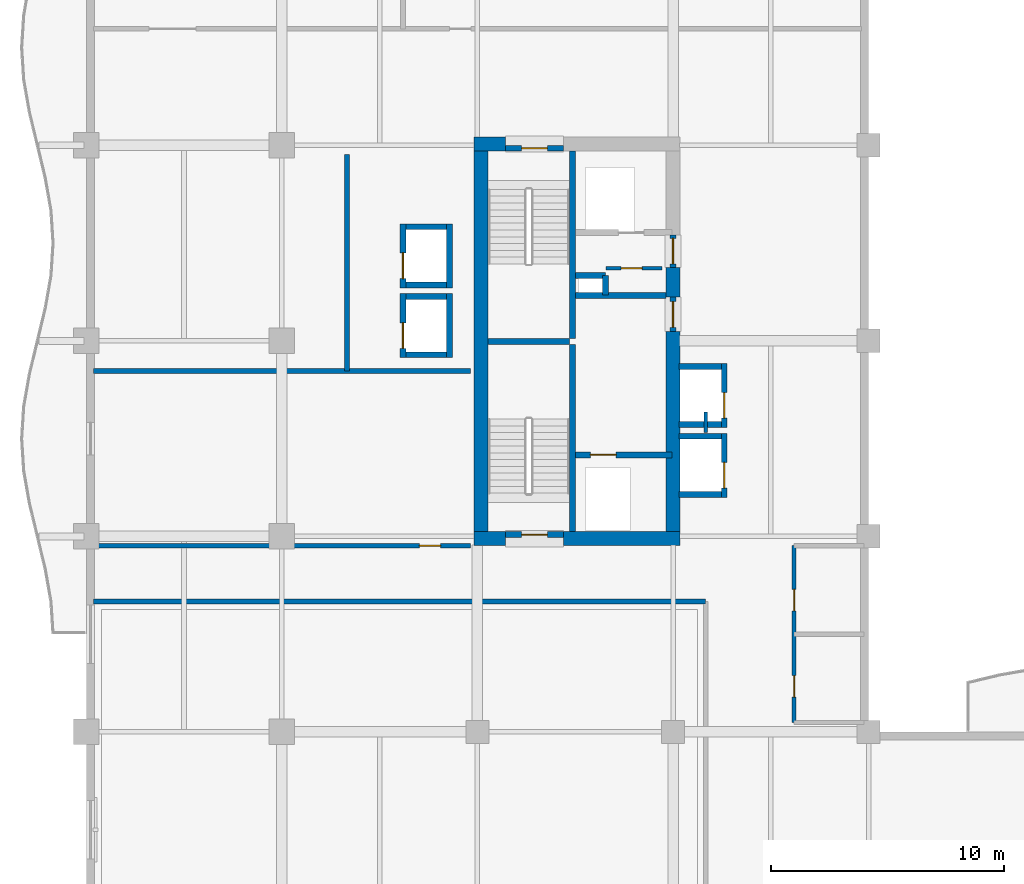
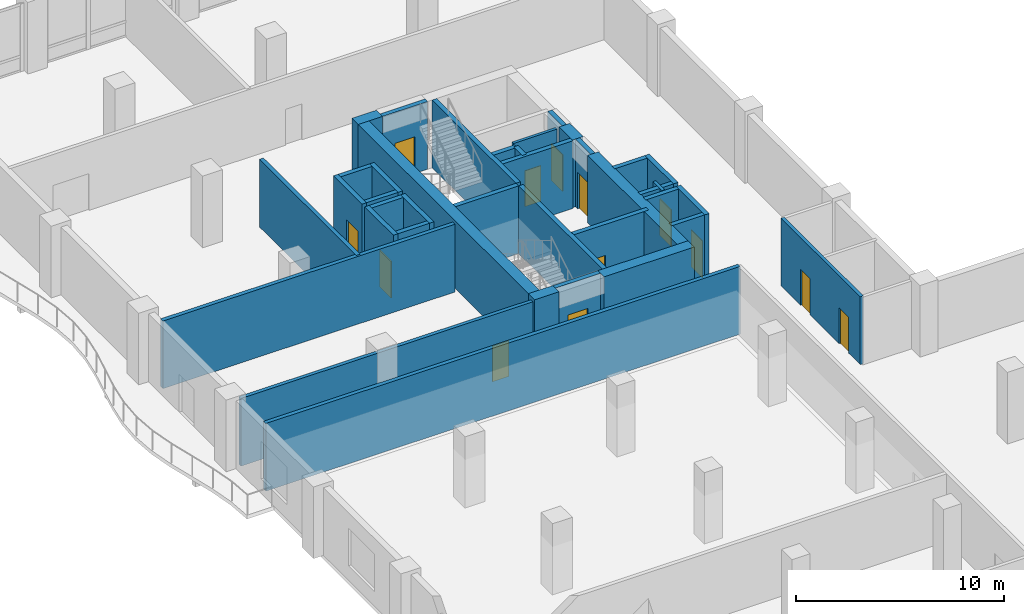
# One storey, part 13 of 22: 38 walls, 13 doors, 13 openings.
"""IFC4 building model written with IfcOpenShell, lengths in metres."""

from ifc_helpers import new_model, si_unit, direction, frame, frame_2d, origin, place, context, subcontext, project, spatial, rectangle, extrude, material, layer, layer_set, type_object, element, fill, save


model = new_model("IFC4")

# Units and contexts
model_context = context("Model", 3, precision=1e-05, world=origin(), true_north=direction((0.0, 1.0)))
body_context = subcontext(model_context, "Body", "Model", "MODEL_VIEW")
ifc_project = project(units=[si_unit("LENGTHUNIT", "METRE"), si_unit("AREAUNIT", "SQUARE_METRE"), si_unit("VOLUMEUNIT", "CUBIC_METRE"), si_unit("PLANEANGLEUNIT", "RADIAN"), si_unit("MASSUNIT", "GRAM", prefix="KILO")], contexts=[model_context])

# Site, building, storey
site_placement = place(None, origin())
site = spatial("IfcSite", under=ifc_project, at=site_placement, CompositionType="ELEMENT")
building_placement = place(site_placement, origin())
building = spatial("IfcBuilding", under=site, at=building_placement, Name="Koriwani Terraces Tower", CompositionType="ELEMENT")
storey_placement = place(building_placement, frame((0.0, 0.0, 219.800048828125)))
storey = spatial("IfcBuildingStorey", under=building, at=storey_placement, Name="L54", CompositionType="ELEMENT", Elevation=219.800048828125)

# Walls
ifc_material_1 = material(Name="Concrete C60/75", Category="concrete")
ifc_layer_1 = layer(ifc_material_1, 0.60009765625, Name="Concrete C60/75")
ifc_layer_set_1 = layer_set([ifc_layer_1], Name="Concrete C60/75")
wall_type_1 = type_object("IfcWallType", Name="WALL_CORE_RC_600", PredefinedType="SHEAR", material=ifc_layer_set_1)
wall_1_placement = place(storey_placement, frame((16.64990234375, 41.89990234375, 0.0), z_axis=(0.0, 0.0, 1.0), x_axis=(1.0, 0.0, 0.0)))
element("IfcWall", 1, at=wall_1_placement, inside=storey, type_object=wall_type_1, Name="L54 West Split Core Shear Wall S1", PredefinedType="SHEAR", context=body_context, shape_type="SweptSolid", body=[
    extrude(rectangle(XDim=1.35009765625, YDim=0.60009765625, at=frame_2d((0.675048828125, 0.0))), origin(), (0.0, 0.0, 1.0), 3.969970703125),
])
wall_2_placement = place(storey_placement, frame((20.5, 41.89990234375, 0.0), z_axis=(0.0, 0.0, 1.0), x_axis=(1.0, 0.0, 0.0)))
element("IfcWall", 2, at=wall_2_placement, inside=storey, type_object=wall_type_1, Name="L54 West Split Core Shear Wall S2", PredefinedType="SHEAR", context=body_context, shape_type="SweptSolid", body=[
    extrude(rectangle(XDim=5.0, YDim=0.60009765625, at=frame_2d((2.5, 0.0))), origin(), (0.0, 0.0, 1.0), 3.969970703125),
])
wall_3_placement = place(storey_placement, frame((16.64990234375, 58.85009765625, 0.0), z_axis=(0.0, 0.0, 1.0), x_axis=(1.0, 0.0, 0.0)))
element("IfcWall", 3, at=wall_3_placement, inside=storey, type_object=wall_type_1, Name="L54 West Split Core Shear Wall N1", PredefinedType="SHEAR", context=body_context, shape_type="SweptSolid", body=[
    extrude(rectangle(XDim=1.35009765625, YDim=0.60009765625, at=frame_2d((0.675048828125, 0.0))), origin(), (0.0, 0.0, 1.0), 3.969970703125),
])
wall_4_placement = place(storey_placement, frame((16.949951171875, 42.199951171875, 0.0), z_axis=(0.0, 0.0, 1.0), x_axis=(0.0, 1.0, 0.0)))
element("IfcWall", 4, at=wall_4_placement, inside=storey, type_object=wall_type_1, Name="L54 West Split Core Shear Wall W1", PredefinedType="SHEAR", context=body_context, shape_type="SweptSolid", body=[
    extrude(rectangle(XDim=16.35009765625, YDim=0.60009765625, at=frame_2d((8.175048828125, 0.0))), origin(), (0.0, 0.0, 1.0), 3.969970703125),
])
wall_5_placement = place(storey_placement, frame((25.199951171875, 42.199951171875, 0.0), z_axis=(0.0, 0.0, 1.0), x_axis=(0.0, 1.0, 0.0)))
element("IfcWall", 5, at=wall_5_placement, inside=storey, type_object=wall_type_1, Name="L54 West Split Core Shear Wall E1", PredefinedType="SHEAR", context=body_context, shape_type="SweptSolid", body=[
    extrude(rectangle(XDim=8.60009765625, YDim=0.60009765625, at=frame_2d((4.300048828125, 0.0))), origin(), (0.0, 0.0, 1.0), 3.969970703125),
])
wall_6_placement = place(storey_placement, frame((25.199951171875, 52.280029296875, 0.0), z_axis=(0.0, 0.0, 1.0), x_axis=(0.0, 1.0, 0.0)))
element("IfcWall", 6, at=wall_6_placement, inside=storey, type_object=wall_type_1, Name="L54 West Split Core Shear Wall E2", PredefinedType="SHEAR", context=body_context, shape_type="SweptSolid", body=[
    extrude(rectangle(XDim=1.27001953125, YDim=0.60009765625, at=frame_2d((0.635009765625, 0.0))), origin(), (0.0, 0.0, 1.0), 3.969970703125),
])

# Wall, opening, door
ifc_material_2 = material(Name="Autoclaved Cellular Concrete Blockwork", Category="masonry")
ifc_layer_2 = layer(ifc_material_2, 0.199951171875, Name="Autoclaved Cellular Concrete Blockwork")
ifc_layer_set_2 = layer_set([ifc_layer_2], Name="Autoclaved Cellular Concrete Blockwork")
wall_type_2 = type_object("IfcWallType", Name="WALL_CORRIDOR_200", PredefinedType="PARTITIONING", material=ifc_layer_set_2)
wall_7_placement = place(storey_placement, frame((0.300048828125, 41.60009765625, 0.0), z_axis=(0.0, 0.0, 1.0), x_axis=(1.0, 0.0, 0.0)))
wall_7 = element("IfcWall", 7, at=wall_7_placement, inside=storey, type_object=wall_type_2, Name="L54 Interior Wall WSKY-RECW1-L54", PredefinedType="PARTITIONING", context=body_context, shape_type="SweptSolid", body=[
    extrude(rectangle(XDim=16.199951171875, YDim=0.199951171875, at=frame_2d((8.10009765625, 0.0))), origin(), (0.0, 0.0, 1.0), 3.969970703125),
])
opening_1_placement = place(wall_7_placement, frame((14.0, 0.0, 0.0)))
opening_1 = element("IfcOpeningElement", 8, at=opening_1_placement, cuts=wall_7, Name="Opening D-06", PredefinedType="OPENING", context=body_context, shape_type="SweptSolid", body=[
    extrude(rectangle(XDim=0.919921875, YDim=2.10009765625, at=frame_2d((0.4599609375, 1.050048828125))), frame((0.0, 0.10986328125, 0.0), z_axis=(0.0, -1.0, 0.0), x_axis=(1.0, 0.0, 0.0)), (0.0, 0.0, 1.0), 0.219970703125),
])
ifc_material_3 = material(Name="Architectural Oak Fire Door", Category="wood")
door_type_1 = type_object("IfcDoorType", Name="DOOR_ROOM_INT_920X2100", OperationType="NOTDEFINED", PredefinedType="DOOR", material=ifc_material_3)
door_1_placement = place(opening_1_placement, origin())
door_1 = element("IfcDoor", 9, at=door_1_placement, inside=storey, type_object=door_type_1, Name="L54 Private Summit Boardroom Door", OperationType="SINGLE_SWING_RIGHT", OverallHeight=2.10009765625, OverallWidth=0.919921875, PredefinedType="DOOR", context=body_context, shape_type="SweptSolid", body=[
    extrude(rectangle(XDim=0.919921875, YDim=2.10009765625, at=frame_2d((0.4599609375, 1.050048828125))), frame((0.0, 0.02490234375, 0.0), z_axis=(0.0, -1.0, 0.0), x_axis=(1.0, 0.0, 0.0)), (0.0, 0.0, 1.0), 0.050048828125),
])
fill(opening_1, door_1)

# Walls
ifc_layer_3 = layer(ifc_material_2, 0.219970703125, Name="Autoclaved Cellular Concrete Blockwork")
ifc_layer_set_3 = layer_set([ifc_layer_3], Name="Autoclaved Cellular Concrete Blockwork")
wall_type_3 = type_object("IfcWallType", Name="WALL_DEMISING_220", PredefinedType="PARTITIONING", material=ifc_layer_set_3)
wall_8_placement = place(storey_placement, frame((0.300048828125, 49.10009765625, 0.0), z_axis=(0.0, 0.0, 1.0), x_axis=(1.0, 0.0, 0.0)))
element("IfcWall", 10, at=wall_8_placement, inside=storey, type_object=wall_type_3, Name="L54 Interior Wall WSKY-RECW2-L54", PredefinedType="PARTITIONING", context=body_context, shape_type="SweptSolid", body=[
    extrude(rectangle(XDim=16.199951171875, YDim=0.219970703125, at=frame_2d((8.10009765625, 0.0))), origin(), (0.0, 0.0, 1.0), 3.969970703125),
])
wall_9_placement = place(storey_placement, frame((11.199951171875, 49.10009765625, 0.0), z_axis=(0.0, 0.0, 1.0), x_axis=(0.0, 1.0, 0.0)))
element("IfcWall", 11, at=wall_9_placement, inside=storey, type_object=wall_type_3, Name="L54 Interior Wall WSKY-RECW3-L54", PredefinedType="PARTITIONING", context=body_context, shape_type="SweptSolid", body=[
    extrude(rectangle(XDim=9.2998046875, YDim=0.219970703125, at=frame_2d((4.64990234375, 0.0))), origin(), (0.0, 0.0, 1.0), 3.969970703125),
])
wall_10_placement = place(storey_placement, frame((0.300048828125, 39.199951171875, 0.0), z_axis=(0.0, 0.0, 1.0), x_axis=(1.0, 0.0, 0.0)))
element("IfcWall", 12, at=wall_10_placement, inside=storey, type_object=wall_type_3, Name="L54 Interior Wall WSKY-WMN-L54", PredefinedType="PARTITIONING", context=body_context, shape_type="SweptSolid", body=[
    extrude(rectangle(XDim=26.300048828125, YDim=0.219970703125, at=frame_2d((13.14990234375, 0.0))), origin(), (0.0, 0.0, 1.0), 3.969970703125),
])

# Wall, openings, doors
ifc_material_4 = material(Name="Fire-Rated Acoustic Gypsum Partition", Category="masonry")
ifc_layer_4 = layer(ifc_material_4, 0.179931640625, Name="Fire-Rated Acoustic Gypsum Partition")
ifc_layer_set_4 = layer_set([ifc_layer_4], Name="Fire-Rated Acoustic Gypsum Partition")
wall_type_4 = type_object("IfcWallType", Name="WALL_PLUMBING_180", PredefinedType="PLUMBINGWALL", material=ifc_layer_set_4)
wall_11_placement = place(storey_placement, frame((30.39990234375, 34.0, 0.0), z_axis=(0.0, 0.0, 1.0), x_axis=(0.0, 1.0, 0.0)))
wall_11 = element("IfcWall", 13, at=wall_11_placement, inside=storey, type_object=wall_type_4, Name="L54 Interior Wall WSKY-WC-L54", PredefinedType="PLUMBINGWALL", context=body_context, shape_type="SweptSolid", body=[
    extrude(rectangle(XDim=7.60009765625, YDim=0.179931640625, at=frame_2d((3.800048828125, 0.0))), origin(), (0.0, 0.0, 1.0), 3.969970703125),
])
opening_2_placement = place(wall_11_placement, frame((1.10009765625, 0.0, 0.0)))
opening_2 = element("IfcOpeningElement", 14, at=opening_2_placement, cuts=wall_11, Name="Opening D-06", PredefinedType="OPENING", context=body_context, shape_type="SweptSolid", body=[
    extrude(rectangle(XDim=0.919921875, YDim=2.10009765625, at=frame_2d((0.4599609375, 1.050048828125))), frame((0.0, 0.10009765625, 0.0), z_axis=(0.0, -1.0, 0.0), x_axis=(1.0, 0.0, 0.0)), (0.0, 0.0, 1.0), 0.199951171875),
])
opening_3_placement = place(wall_11_placement, frame((4.800048828125, 0.0, 0.0)))
opening_3 = element("IfcOpeningElement", 15, at=opening_3_placement, cuts=wall_11, Name="Opening D-06", PredefinedType="OPENING", context=body_context, shape_type="SweptSolid", body=[
    extrude(rectangle(XDim=0.919921875, YDim=2.10009765625, at=frame_2d((0.4599609375, 1.050048828125))), frame((0.0, 0.10009765625, 0.0), z_axis=(0.0, -1.0, 0.0), x_axis=(1.0, 0.0, 0.0)), (0.0, 0.0, 1.0), 0.199951171875),
])
door_2_placement = place(opening_2_placement, origin())
door_2 = element("IfcDoor", 16, at=door_2_placement, inside=storey, type_object=door_type_1, Name="L54 Sky Lobby Restroom WC Door", OperationType="SINGLE_SWING_RIGHT", OverallHeight=2.10009765625, OverallWidth=0.919921875, PredefinedType="DOOR", context=body_context, shape_type="SweptSolid", body=[
    extrude(rectangle(XDim=0.919921875, YDim=2.10009765625, at=frame_2d((0.4599609375, 1.050048828125))), frame((0.0, 0.02490234375, 0.0), z_axis=(0.0, -1.0, 0.0), x_axis=(1.0, 0.0, 0.0)), (0.0, 0.0, 1.0), 0.050048828125),
])
fill(opening_2, door_2)
door_3_placement = place(opening_3_placement, origin())
door_3 = element("IfcDoor", 17, at=door_3_placement, inside=storey, type_object=door_type_1, Name="L54 Sky Lobby Accessible WC Door", OperationType="SINGLE_SWING_LEFT", OverallHeight=2.10009765625, OverallWidth=0.919921875, PredefinedType="DOOR", context=body_context, shape_type="SweptSolid", body=[
    extrude(rectangle(XDim=0.919921875, YDim=2.10009765625, at=frame_2d((0.4599609375, 1.050048828125))), frame((0.0, 0.02490234375, 0.0), z_axis=(0.0, -1.0, 0.0), x_axis=(1.0, 0.0, 0.0)), (0.0, 0.0, 1.0), 0.050048828125),
])
fill(opening_3, door_3)

# Walls
ifc_material_5 = material(Name="Concrete C40/50", Category="concrete")
ifc_layer_5 = layer(ifc_material_5, 0.25, Name="Concrete C40/50")
ifc_layer_set_5 = layer_set([ifc_layer_5], Name="Concrete C40/50")
wall_type_5 = type_object("IfcWallType", Name="WALL_SHAFT_RATED_250", PredefinedType="SOLIDWALL", material=ifc_layer_set_5)
for number, where, z_axis, x_axis, name in (
    (18, (20.875, 42.199951171875, 0.0), (0.0, 0.0, 1.0), (0.0, 1.0, 0.0), "L54 West Split Core Web Wall MID1"),
    (19, (20.875, 50.5, 0.0), (0.0, 0.0, 1.0), (0.0, 1.0, 0.0), "L54 West Split Core Web Wall MID2"),
):
    element("IfcWall", number, at=place(storey_placement, frame(where, z_axis=z_axis, x_axis=x_axis)), inside=storey, type_object=wall_type_5, Name=name, PredefinedType="SOLIDWALL", context=body_context, shape_type="SweptSolid", body=[
        extrude(rectangle(XDim=8.050048828125, YDim=0.25, at=frame_2d((4.02490234375, 0.0))), origin(), (0.0, 0.0, 1.0), 3.969970703125),
    ])
wall_12_placement = place(storey_placement, frame((17.25, 50.375, 0.0), z_axis=(0.0, 0.0, 1.0), x_axis=(1.0, 0.0, 0.0)))
element("IfcWall", 20, at=wall_12_placement, inside=storey, type_object=wall_type_5, Name="L54 West Split Core Stair Dividing Wall", PredefinedType="SOLIDWALL", context=body_context, shape_type="SweptSolid", body=[
    extrude(rectangle(XDim=3.5, YDim=0.25, at=frame_2d((1.75, 0.0))), origin(), (0.0, 0.0, 1.0), 3.969970703125),
])

# Wall, opening, door
wall_13_placement = place(storey_placement, frame((18.0, 42.074951171875, 0.0), z_axis=(0.0, 0.0, 1.0), x_axis=(1.0, 0.0, 0.0)))
wall_13 = element("IfcWall", 21, at=wall_13_placement, inside=storey, type_object=wall_type_5, Name="L54 Interior Wall WIN-CW-L54-STS", PredefinedType="SOLIDWALL", context=body_context, shape_type="SweptSolid", body=[
    extrude(rectangle(XDim=2.5, YDim=0.25, at=frame_2d((1.25, 0.0))), origin(), (0.0, 0.0, 1.0), 3.969970703125),
])
opening_4_placement = place(wall_13_placement, frame((0.699951171875, 0.0, 0.0)))
opening_4 = element("IfcOpeningElement", 22, at=opening_4_placement, cuts=wall_13, Name="Opening D-03", PredefinedType="OPENING", context=body_context, shape_type="SweptSolid", body=[
    extrude(rectangle(XDim=1.10009765625, YDim=2.14990234375, at=frame_2d((0.550048828125, 1.074951171875))), frame((0.0, 0.135009765625, 0.0), z_axis=(0.0, -1.0, 0.0), x_axis=(1.0, 0.0, 0.0)), (0.0, 0.0, 1.0), 0.27001953125),
])
ifc_material_6 = material(Name="Steel ASTM A572 Grade 50", Category="steel")
door_type_2 = type_object("IfcDoorType", Name="DOOR_STAIR_FIRE_1100X2150", OperationType="NOTDEFINED", PredefinedType="DOOR", material=ifc_material_6)
door_4_placement = place(opening_4_placement, origin())
door_4 = element("IfcDoor", 23, at=door_4_placement, inside=storey, type_object=door_type_2, Name="L54 Exit Stair ST-W1 Door", OperationType="SINGLE_SWING_RIGHT", OverallHeight=2.14990234375, OverallWidth=1.10009765625, PredefinedType="DOOR", context=body_context, shape_type="SweptSolid", body=[
    extrude(rectangle(XDim=1.10009765625, YDim=2.14990234375, at=frame_2d((0.550048828125, 1.074951171875))), frame((0.0, 0.02490234375, 0.0), z_axis=(0.0, -1.0, 0.0), x_axis=(1.0, 0.0, 0.0)), (0.0, 0.0, 1.0), 0.050048828125),
])
fill(opening_4, door_4)

wall_14_placement = place(storey_placement, frame((18.0, 58.675048828125, 0.0), z_axis=(0.0, 0.0, 1.0), x_axis=(1.0, 0.0, 0.0)))
wall_14 = element("IfcWall", 24, at=wall_14_placement, inside=storey, type_object=wall_type_5, Name="L54 Interior Wall WIN-CW-L54-STN", PredefinedType="SOLIDWALL", context=body_context, shape_type="SweptSolid", body=[
    extrude(rectangle(XDim=2.5, YDim=0.25, at=frame_2d((1.25, 0.0))), origin(), (0.0, 0.0, 1.0), 3.969970703125),
])
opening_5_placement = place(wall_14_placement, frame((0.699951171875, 0.0, 0.0)))
opening_5 = element("IfcOpeningElement", 25, at=opening_5_placement, cuts=wall_14, Name="Opening D-03", PredefinedType="OPENING", context=body_context, shape_type="SweptSolid", body=[
    extrude(rectangle(XDim=1.10009765625, YDim=2.14990234375, at=frame_2d((0.550048828125, 1.074951171875))), frame((0.0, 0.135009765625, 0.0), z_axis=(0.0, -1.0, 0.0), x_axis=(1.0, 0.0, 0.0)), (0.0, 0.0, 1.0), 0.27001953125),
])
door_5_placement = place(opening_5_placement, origin())
door_5 = element("IfcDoor", 26, at=door_5_placement, inside=storey, type_object=door_type_2, Name="L54 Exit Stair ST-W2 Door", OperationType="SINGLE_SWING_LEFT", OverallHeight=2.14990234375, OverallWidth=1.10009765625, PredefinedType="DOOR", context=body_context, shape_type="SweptSolid", body=[
    extrude(rectangle(XDim=1.10009765625, YDim=2.14990234375, at=frame_2d((0.550048828125, 1.074951171875))), frame((0.0, 0.02490234375, 0.0), z_axis=(0.0, -1.0, 0.0), x_axis=(1.0, 0.0, 0.0)), (0.0, 0.0, 1.0), 0.050048828125),
])
fill(opening_5, door_5)

wall_15_placement = place(storey_placement, frame((21.0, 45.5, 0.0), z_axis=(0.0, 0.0, 1.0), x_axis=(1.0, 0.0, 0.0)))
wall_15 = element("IfcWall", 27, at=wall_15_placement, inside=storey, type_object=wall_type_5, Name="L54 Interior Wall WIN-CW-L54-FE", PredefinedType="SOLIDWALL", context=body_context, shape_type="SweptSolid", body=[
    extrude(rectangle(XDim=4.14990234375, YDim=0.25, at=frame_2d((2.074951171875, 0.0))), origin(), (0.0, 0.0, 1.0), 3.969970703125),
])
opening_6_placement = place(wall_15_placement, frame((0.64990234375, 0.0, 0.0)))
opening_6 = element("IfcOpeningElement", 28, at=opening_6_placement, cuts=wall_15, Name="Opening LD-01", PredefinedType="OPENING", context=body_context, shape_type="SweptSolid", body=[
    extrude(rectangle(XDim=1.10009765625, YDim=2.14990234375, at=frame_2d((0.550048828125, 1.074951171875))), frame((0.0, 0.135009765625, 0.0), z_axis=(0.0, -1.0, 0.0), x_axis=(1.0, 0.0, 0.0)), (0.0, 0.0, 1.0), 0.27001953125),
])
door_type_3 = type_object("IfcDoorType", Name="DOOR_LIFT_LANDING_1100X2200", OperationType="NOTDEFINED", PredefinedType="DOOR", material=ifc_material_6)
door_6_placement = place(opening_6_placement, origin())
door_6 = element("IfcDoor", 29, at=door_6_placement, inside=storey, type_object=door_type_3, Name="L54 Firefighting Lift FE-01 Landing Door", OperationType="SLIDING_TO_LEFT", OverallHeight=2.14990234375, OverallWidth=1.10009765625, PredefinedType="DOOR", context=body_context, shape_type="SweptSolid", body=[
    extrude(rectangle(XDim=1.10009765625, YDim=2.14990234375, at=frame_2d((0.550048828125, 1.074951171875))), frame((0.0, 0.02490234375, 0.0), z_axis=(0.0, -1.0, 0.0), x_axis=(1.0, 0.0, 0.0)), (0.0, 0.0, 1.0), 0.050048828125),
])
fill(opening_6, door_6)

wall_16_placement = place(storey_placement, frame((25.199951171875, 50.800048828125, 0.0), z_axis=(0.0, 0.0, 1.0), x_axis=(0.0, 1.0, 0.0)))
wall_16 = element("IfcWall", 30, at=wall_16_placement, inside=storey, type_object=wall_type_5, Name="L54 Interior Wall WIN-CW-L54-EP", PredefinedType="SOLIDWALL", context=body_context, shape_type="SweptSolid", body=[
    extrude(rectangle(XDim=1.47998046875, YDim=0.25, at=frame_2d((0.739990234375, 0.0))), origin(), (0.0, 0.0, 1.0), 3.969970703125),
])
opening_7_placement = place(wall_16_placement, frame((0.179931640625, 0.0, 0.0)))
opening_7 = element("IfcOpeningElement", 31, at=opening_7_placement, cuts=wall_16, Name="Opening D-03", PredefinedType="OPENING", context=body_context, shape_type="SweptSolid", body=[
    extrude(rectangle(XDim=1.10009765625, YDim=2.14990234375, at=frame_2d((0.550048828125, 1.074951171875))), frame((0.0, 0.135009765625, 0.0), z_axis=(0.0, -1.0, 0.0), x_axis=(1.0, 0.0, 0.0)), (0.0, 0.0, 1.0), 0.27001953125),
])
door_7_placement = place(opening_7_placement, origin())
door_7 = element("IfcDoor", 32, at=door_7_placement, inside=storey, type_object=door_type_2, Name="L54 West Firefighting Lobby Door", OperationType="SINGLE_SWING_RIGHT", OverallHeight=2.14990234375, OverallWidth=1.10009765625, PredefinedType="DOOR", context=body_context, shape_type="SweptSolid", body=[
    extrude(rectangle(XDim=1.10009765625, YDim=2.14990234375, at=frame_2d((0.550048828125, 1.074951171875))), frame((0.0, 0.02490234375, 0.0), z_axis=(0.0, -1.0, 0.0), x_axis=(1.0, 0.0, 0.0)), (0.0, 0.0, 1.0), 0.050048828125),
])
fill(opening_7, door_7)

# Wall
wall_17_placement = place(storey_placement, frame((21.0, 52.340087890625, 0.0), z_axis=(0.0, 0.0, 1.0), x_axis=(1.0, 0.0, 0.0)))
element("IfcWall", 33, at=wall_17_placement, inside=storey, type_object=wall_type_5, Name="L54 Interior Wall WIN-CW-L54-FFN", PredefinedType="SOLIDWALL", context=body_context, shape_type="SweptSolid", body=[
    extrude(rectangle(XDim=3.89990234375, YDim=0.25, at=frame_2d((1.949951171875, 0.0))), origin(), (0.0, 0.0, 1.0), 3.969970703125),
])

# Wall, opening, door
wall_18_placement = place(storey_placement, frame((25.199951171875, 53.550048828125, 0.0), z_axis=(0.0, 0.0, 1.0), x_axis=(0.0, 1.0, 0.0)))
wall_18 = element("IfcWall", 34, at=wall_18_placement, inside=storey, type_object=wall_type_5, Name="L54 Interior Wall WIN-CW-L54-EP2", PredefinedType="SOLIDWALL", context=body_context, shape_type="SweptSolid", body=[
    extrude(rectangle(XDim=1.39990234375, YDim=0.25, at=frame_2d((0.699951171875, 0.0))), origin(), (0.0, 0.0, 1.0), 3.969970703125),
])
opening_8_placement = place(wall_18_placement, frame((0.14990234375, 0.0, 0.0)))
opening_8 = element("IfcOpeningElement", 35, at=opening_8_placement, cuts=wall_18, Name="Opening D-03", PredefinedType="OPENING", context=body_context, shape_type="SweptSolid", body=[
    extrude(rectangle(XDim=1.10009765625, YDim=2.14990234375, at=frame_2d((0.550048828125, 1.074951171875))), frame((0.0, 0.135009765625, 0.0), z_axis=(0.0, -1.0, 0.0), x_axis=(1.0, 0.0, 0.0)), (0.0, 0.0, 1.0), 0.27001953125),
])
door_8_placement = place(opening_8_placement, origin())
door_8 = element("IfcDoor", 36, at=door_8_placement, inside=storey, type_object=door_type_2, Name="L54 West Goods Lift Lobby Door", OperationType="SINGLE_SWING_LEFT", OverallHeight=2.14990234375, OverallWidth=1.10009765625, PredefinedType="DOOR", context=body_context, shape_type="SweptSolid", body=[
    extrude(rectangle(XDim=1.10009765625, YDim=2.14990234375, at=frame_2d((0.550048828125, 1.074951171875))), frame((0.0, 0.02490234375, 0.0), z_axis=(0.0, -1.0, 0.0), x_axis=(1.0, 0.0, 0.0)), (0.0, 0.0, 1.0), 0.050048828125),
])
fill(opening_8, door_8)

# Walls
wall_19_placement = place(storey_placement, frame((21.0, 53.199951171875, 0.0), z_axis=(0.0, 0.0, 1.0), x_axis=(1.0, 0.0, 0.0)))
element("IfcWall", 37, at=wall_19_placement, inside=storey, type_object=wall_type_5, Name="L54 Interior Wall WIN-CW-L54-RS1", PredefinedType="SOLIDWALL", context=body_context, shape_type="SweptSolid", body=[
    extrude(rectangle(XDim=1.300048828125, YDim=0.25, at=frame_2d((0.64990234375, 0.0))), origin(), (0.0, 0.0, 1.0), 3.969970703125),
])
wall_20_placement = place(storey_placement, frame((22.300048828125, 52.360107421875, 0.0), z_axis=(0.0, 0.0, 1.0), x_axis=(0.0, 1.0, 0.0)))
element("IfcWall", 38, at=wall_20_placement, inside=storey, type_object=wall_type_5, Name="L54 Interior Wall WIN-CW-L54-RS2", PredefinedType="SOLIDWALL", context=body_context, shape_type="SweptSolid", body=[
    extrude(rectangle(XDim=0.83984375, YDim=0.25, at=frame_2d((0.419921875, 0.0))), origin(), (0.0, 0.0, 1.0), 3.969970703125),
])

# Wall, opening, door
wall_21_placement = place(storey_placement, frame((13.60009765625, 49.675048828125, 0.0), z_axis=(0.0, 0.0, 1.0), x_axis=(0.0, 1.0, 0.0)))
wall_21 = element("IfcWall", 39, at=wall_21_placement, inside=storey, type_object=wall_type_5, Name="L54 Interior Wall WIN-LF-PE-M1-L54-F", PredefinedType="SOLIDWALL", context=body_context, shape_type="SweptSolid", body=[
    extrude(rectangle(XDim=2.75, YDim=0.25, at=frame_2d((1.375, 0.0))), origin(), (0.0, 0.0, 1.0), 3.969970703125),
])
opening_9_placement = place(wall_21_placement, frame((0.39990234375, 0.0, 0.0)))
opening_9 = element("IfcOpeningElement", 40, at=opening_9_placement, cuts=wall_21, Name="Opening LD-01", PredefinedType="OPENING", context=body_context, shape_type="SweptSolid", body=[
    extrude(rectangle(XDim=1.10009765625, YDim=2.14990234375, at=frame_2d((0.550048828125, 1.074951171875))), frame((0.0, 0.135009765625, 0.0), z_axis=(0.0, -1.0, 0.0), x_axis=(1.0, 0.0, 0.0)), (0.0, 0.0, 1.0), 0.27001953125),
])
door_9_placement = place(opening_9_placement, origin())
door_9 = element("IfcDoor", 41, at=door_9_placement, inside=storey, type_object=door_type_3, Name="L54 Passenger Lift PE-M1 Landing Door", OperationType="SLIDING_TO_LEFT", OverallHeight=2.14990234375, OverallWidth=1.10009765625, PredefinedType="DOOR", context=body_context, shape_type="SweptSolid", body=[
    extrude(rectangle(XDim=1.10009765625, YDim=2.14990234375, at=frame_2d((0.550048828125, 1.074951171875))), frame((0.0, 0.02490234375, 0.0), z_axis=(0.0, -1.0, 0.0), x_axis=(1.0, 0.0, 0.0)), (0.0, 0.0, 1.0), 0.050048828125),
])
fill(opening_9, door_9)

# Walls
wall_22_placement = place(storey_placement, frame((15.60009765625, 49.675048828125, 0.0), z_axis=(0.0, 0.0, 1.0), x_axis=(0.0, 1.0, 0.0)))
element("IfcWall", 42, at=wall_22_placement, inside=storey, type_object=wall_type_5, Name="L54 Interior Wall WIN-LF-PE-M1-L54-B", PredefinedType="SOLIDWALL", context=body_context, shape_type="SweptSolid", body=[
    extrude(rectangle(XDim=2.75, YDim=0.25, at=frame_2d((1.375, 0.0))), origin(), (0.0, 0.0, 1.0), 3.969970703125),
])
for number, where, z_axis, x_axis, name in (
    (43, (13.72509765625, 49.800048828125, 0.0), (0.0, 0.0, 1.0), (1.0, 0.0, 0.0), "L54 Interior Wall WIN-LF-PE-M1-L54-S"),
    (44, (13.72509765625, 52.300048828125, 0.0), (0.0, 0.0, 1.0), (1.0, 0.0, 0.0), "L54 Interior Wall WIN-LF-PE-M1-L54-N"),
):
    element("IfcWall", number, at=place(storey_placement, frame(where, z_axis=z_axis, x_axis=x_axis)), inside=storey, type_object=wall_type_5, Name=name, PredefinedType="SOLIDWALL", context=body_context, shape_type="SweptSolid", body=[
        extrude(rectangle(XDim=1.75, YDim=0.25, at=frame_2d((0.875, 0.0))), origin(), (0.0, 0.0, 1.0), 3.969970703125),
    ])

# Wall, opening, door
wall_23_placement = place(storey_placement, frame((13.60009765625, 52.675048828125, 0.0), z_axis=(0.0, 0.0, 1.0), x_axis=(0.0, 1.0, 0.0)))
wall_23 = element("IfcWall", 45, at=wall_23_placement, inside=storey, type_object=wall_type_5, Name="L54 Interior Wall WIN-LF-PE-M2-L54-F", PredefinedType="SOLIDWALL", context=body_context, shape_type="SweptSolid", body=[
    extrude(rectangle(XDim=2.75, YDim=0.25, at=frame_2d((1.375, 0.0))), origin(), (0.0, 0.0, 1.0), 3.969970703125),
])
opening_10_placement = place(wall_23_placement, frame((0.39990234375, 0.0, 0.0)))
opening_10 = element("IfcOpeningElement", 46, at=opening_10_placement, cuts=wall_23, Name="Opening LD-01", PredefinedType="OPENING", context=body_context, shape_type="SweptSolid", body=[
    extrude(rectangle(XDim=1.10009765625, YDim=2.14990234375, at=frame_2d((0.550048828125, 1.074951171875))), frame((0.0, 0.135009765625, 0.0), z_axis=(0.0, -1.0, 0.0), x_axis=(1.0, 0.0, 0.0)), (0.0, 0.0, 1.0), 0.27001953125),
])
door_10_placement = place(opening_10_placement, origin())
door_10 = element("IfcDoor", 47, at=door_10_placement, inside=storey, type_object=door_type_3, Name="L54 Passenger Lift PE-M2 Landing Door", OperationType="SLIDING_TO_LEFT", OverallHeight=2.14990234375, OverallWidth=1.10009765625, PredefinedType="DOOR", context=body_context, shape_type="SweptSolid", body=[
    extrude(rectangle(XDim=1.10009765625, YDim=2.14990234375, at=frame_2d((0.550048828125, 1.074951171875))), frame((0.0, 0.02490234375, 0.0), z_axis=(0.0, -1.0, 0.0), x_axis=(1.0, 0.0, 0.0)), (0.0, 0.0, 1.0), 0.050048828125),
])
fill(opening_10, door_10)

# Walls
wall_24_placement = place(storey_placement, frame((15.60009765625, 52.675048828125, 0.0), z_axis=(0.0, 0.0, 1.0), x_axis=(0.0, 1.0, 0.0)))
element("IfcWall", 48, at=wall_24_placement, inside=storey, type_object=wall_type_5, Name="L54 Interior Wall WIN-LF-PE-M2-L54-B", PredefinedType="SOLIDWALL", context=body_context, shape_type="SweptSolid", body=[
    extrude(rectangle(XDim=2.75, YDim=0.25, at=frame_2d((1.375, 0.0))), origin(), (0.0, 0.0, 1.0), 3.969970703125),
])
for number, where, z_axis, x_axis, name in (
    (49, (13.72509765625, 52.800048828125, 0.0), (0.0, 0.0, 1.0), (1.0, 0.0, 0.0), "L54 Interior Wall WIN-LF-PE-M2-L54-S"),
    (50, (13.72509765625, 55.300048828125, 0.0), (0.0, 0.0, 1.0), (1.0, 0.0, 0.0), "L54 Interior Wall WIN-LF-PE-M2-L54-N"),
):
    element("IfcWall", number, at=place(storey_placement, frame(where, z_axis=z_axis, x_axis=x_axis)), inside=storey, type_object=wall_type_5, Name=name, PredefinedType="SOLIDWALL", context=body_context, shape_type="SweptSolid", body=[
        extrude(rectangle(XDim=1.75, YDim=0.25, at=frame_2d((0.875, 0.0))), origin(), (0.0, 0.0, 1.0), 3.969970703125),
    ])

# Wall, opening, door
wall_25_placement = place(storey_placement, frame((27.39990234375, 43.675048828125, 0.0), z_axis=(0.0, 0.0, 1.0), x_axis=(0.0, 1.0, 0.0)))
wall_25 = element("IfcWall", 51, at=wall_25_placement, inside=storey, type_object=wall_type_5, Name="L54 Interior Wall WIN-LF-PE-H1-L54-F", PredefinedType="SOLIDWALL", context=body_context, shape_type="SweptSolid", body=[
    extrude(rectangle(XDim=2.75, YDim=0.25, at=frame_2d((1.375, 0.0))), origin(), (0.0, 0.0, 1.0), 3.969970703125),
])
opening_11_placement = place(wall_25_placement, frame((0.39990234375, 0.0, 0.0)))
opening_11 = element("IfcOpeningElement", 52, at=opening_11_placement, cuts=wall_25, Name="Opening LD-01", PredefinedType="OPENING", context=body_context, shape_type="SweptSolid", body=[
    extrude(rectangle(XDim=1.10009765625, YDim=2.14990234375, at=frame_2d((0.550048828125, 1.074951171875))), frame((0.0, 0.135009765625, 0.0), z_axis=(0.0, -1.0, 0.0), x_axis=(1.0, 0.0, 0.0)), (0.0, 0.0, 1.0), 0.27001953125),
])
door_11_placement = place(opening_11_placement, origin())
door_11 = element("IfcDoor", 53, at=door_11_placement, inside=storey, type_object=door_type_3, Name="L54 Passenger Lift PE-H1 Landing Door", OperationType="SLIDING_TO_LEFT", OverallHeight=2.14990234375, OverallWidth=1.10009765625, PredefinedType="DOOR", context=body_context, shape_type="SweptSolid", body=[
    extrude(rectangle(XDim=1.10009765625, YDim=2.14990234375, at=frame_2d((0.550048828125, 1.074951171875))), frame((0.0, 0.02490234375, 0.0), z_axis=(0.0, -1.0, 0.0), x_axis=(1.0, 0.0, 0.0)), (0.0, 0.0, 1.0), 0.050048828125),
])
fill(opening_11, door_11)

# Walls
for number, where, z_axis, x_axis, name in (
    (54, (25.449951171875, 43.800048828125, 0.0), (0.0, 0.0, 1.0), (1.0, 0.0, 0.0), "L54 Interior Wall WIN-LF-PE-H1-L54-S"),
    (55, (25.449951171875, 46.300048828125, 0.0), (0.0, 0.0, 1.0), (1.0, 0.0, 0.0), "L54 Interior Wall WIN-LF-PE-H1-L54-N"),
):
    element("IfcWall", number, at=place(storey_placement, frame(where, z_axis=z_axis, x_axis=x_axis)), inside=storey, type_object=wall_type_5, Name=name, PredefinedType="SOLIDWALL", context=body_context, shape_type="SweptSolid", body=[
        extrude(rectangle(XDim=1.824951171875, YDim=0.25, at=frame_2d((0.91259765625, 0.0))), origin(), (0.0, 0.0, 1.0), 3.969970703125),
    ])

# Wall, opening, door
wall_26_placement = place(storey_placement, frame((27.39990234375, 46.675048828125, 0.0), z_axis=(0.0, 0.0, 1.0), x_axis=(0.0, 1.0, 0.0)))
wall_26 = element("IfcWall", 56, at=wall_26_placement, inside=storey, type_object=wall_type_5, Name="L54 Interior Wall WIN-LF-PE-H2-L54-F", PredefinedType="SOLIDWALL", context=body_context, shape_type="SweptSolid", body=[
    extrude(rectangle(XDim=2.75, YDim=0.25, at=frame_2d((1.375, 0.0))), origin(), (0.0, 0.0, 1.0), 3.969970703125),
])
opening_12_placement = place(wall_26_placement, frame((0.39990234375, 0.0, 0.0)))
opening_12 = element("IfcOpeningElement", 57, at=opening_12_placement, cuts=wall_26, Name="Opening LD-01", PredefinedType="OPENING", context=body_context, shape_type="SweptSolid", body=[
    extrude(rectangle(XDim=1.10009765625, YDim=2.14990234375, at=frame_2d((0.550048828125, 1.074951171875))), frame((0.0, 0.135009765625, 0.0), z_axis=(0.0, -1.0, 0.0), x_axis=(1.0, 0.0, 0.0)), (0.0, 0.0, 1.0), 0.27001953125),
])
door_12_placement = place(opening_12_placement, origin())
door_12 = element("IfcDoor", 58, at=door_12_placement, inside=storey, type_object=door_type_3, Name="L54 Passenger Lift PE-H2 Landing Door", OperationType="SLIDING_TO_LEFT", OverallHeight=2.14990234375, OverallWidth=1.10009765625, PredefinedType="DOOR", context=body_context, shape_type="SweptSolid", body=[
    extrude(rectangle(XDim=1.10009765625, YDim=2.14990234375, at=frame_2d((0.550048828125, 1.074951171875))), frame((0.0, 0.02490234375, 0.0), z_axis=(0.0, -1.0, 0.0), x_axis=(1.0, 0.0, 0.0)), (0.0, 0.0, 1.0), 0.050048828125),
])
fill(opening_12, door_12)

# Walls
for number, where, z_axis, x_axis, name in (
    (59, (25.449951171875, 46.800048828125, 0.0), (0.0, 0.0, 1.0), (1.0, 0.0, 0.0), "L54 Interior Wall WIN-LF-PE-H2-L54-S"),
    (60, (25.449951171875, 49.300048828125, 0.0), (0.0, 0.0, 1.0), (1.0, 0.0, 0.0), "L54 Interior Wall WIN-LF-PE-H2-L54-N"),
):
    element("IfcWall", number, at=place(storey_placement, frame(where, z_axis=z_axis, x_axis=x_axis)), inside=storey, type_object=wall_type_5, Name=name, PredefinedType="SOLIDWALL", context=body_context, shape_type="SweptSolid", body=[
        extrude(rectangle(XDim=1.824951171875, YDim=0.25, at=frame_2d((0.91259765625, 0.0))), origin(), (0.0, 0.0, 1.0), 3.969970703125),
    ])

# Wall, opening, door
ifc_layer_6 = layer(ifc_material_4, 0.159912109375, Name="Fire-Rated Acoustic Gypsum Partition")
ifc_layer_set_6 = layer_set([ifc_layer_6], Name="Fire-Rated Acoustic Gypsum Partition")
wall_type_6 = type_object("IfcWallType", Name="WALL_SUITE_160", PredefinedType="PARTITIONING", material=ifc_layer_set_6)
wall_27_placement = place(storey_placement, frame((22.320068359375, 53.52001953125, 0.0), z_axis=(0.0, 0.0, 1.0), x_axis=(1.0, 0.0, 0.0)))
wall_27 = element("IfcWall", 61, at=wall_27_placement, inside=storey, type_object=wall_type_6, Name="L54 Interior Wall WIN-CW-L54-SV0", PredefinedType="PARTITIONING", context=body_context, shape_type="SweptSolid", body=[
    extrude(rectangle(XDim=2.39990234375, YDim=0.159912109375, at=frame_2d((1.199951171875, 0.0))), origin(), (0.0, 0.0, 1.0), 3.969970703125),
])
opening_13_placement = place(wall_27_placement, frame((0.64990234375, 0.0, 0.0)))
opening_13 = element("IfcOpeningElement", 62, at=opening_13_placement, cuts=wall_27, Name="Opening D-07", PredefinedType="OPENING", context=body_context, shape_type="SweptSolid", body=[
    extrude(rectangle(XDim=0.89990234375, YDim=2.10009765625, at=frame_2d((0.449951171875, 1.050048828125))), frame((0.0, 0.08984375, 0.0), z_axis=(0.0, -1.0, 0.0), x_axis=(1.0, 0.0, 0.0)), (0.0, 0.0, 1.0), 0.179931640625),
])
door_type_4 = type_object("IfcDoorType", Name="DOOR_BATH_INT_900X2100", OperationType="NOTDEFINED", PredefinedType="DOOR", material=ifc_material_3)
door_13_placement = place(opening_13_placement, origin())
door_13 = element("IfcDoor", 63, at=door_13_placement, inside=storey, type_object=door_type_4, Name="L54 West Electrical Switch Room Door", OperationType="SINGLE_SWING_RIGHT", OverallHeight=2.10009765625, OverallWidth=0.89990234375, PredefinedType="DOOR", context=body_context, shape_type="SweptSolid", body=[
    extrude(rectangle(XDim=0.89990234375, YDim=2.10009765625, at=frame_2d((0.449951171875, 1.050048828125))), frame((0.0, 0.02490234375, 0.0), z_axis=(0.0, -1.0, 0.0), x_axis=(1.0, 0.0, 0.0)), (0.0, 0.0, 1.0), 0.050048828125),
])
fill(opening_13, door_13)

# Wall
wall_28_placement = place(storey_placement, frame((26.60009765625, 46.4599609375, 0.0), z_axis=(0.0, 0.0, 1.0), x_axis=(0.0, 1.0, 0.0)))
element("IfcWall", 64, at=wall_28_placement, inside=storey, type_object=wall_type_6, Name="L54 Interior Wall WIN-LF-PEH12-MID-L54", PredefinedType="PARTITIONING", context=body_context, shape_type="SweptSolid", body=[
    extrude(rectangle(XDim=0.880126953125, YDim=0.159912109375, at=frame_2d((0.43994140625, 0.0))), origin(), (0.0, 0.0, 1.0), 3.969970703125),
])

save(model, "model.ifc")
